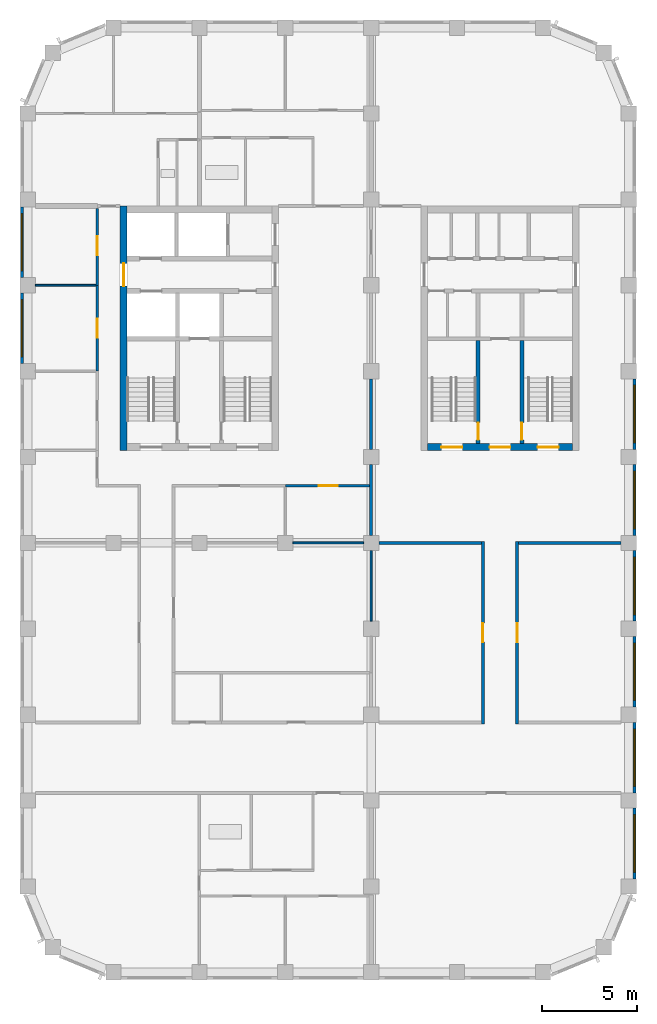
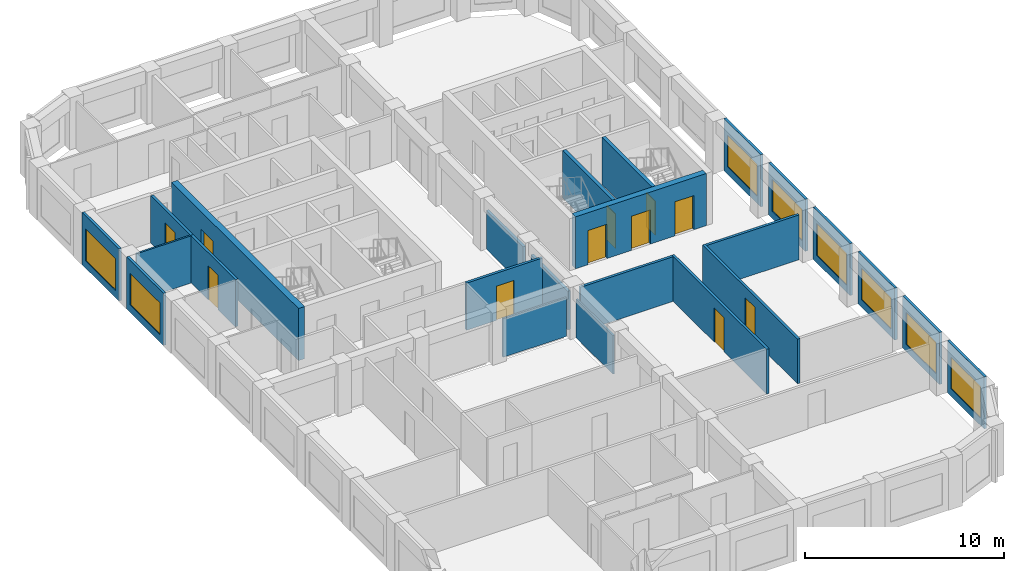
# One storey, part 4 of 9: 24 walls, 11 doors, 8 windows, 19 openings.
"""IFC4 building model written with IfcOpenShell, lengths in metres."""

from ifc_helpers import new_model, si_unit, direction, frame, frame_2d, origin, place, context, subcontext, project, spatial, rectangle, extrude, material, layer, layer_set, type_object, element, fill, save


model = new_model("IFC4")

# Units and contexts
model_context = context("Model", 3, precision=1e-05, world=origin(), true_north=direction((0.0, 1.0)))
body_context = subcontext(model_context, "Body", "Model", "MODEL_VIEW")
ifc_project = project(units=[si_unit("LENGTHUNIT", "METRE"), si_unit("AREAUNIT", "SQUARE_METRE"), si_unit("VOLUMEUNIT", "CUBIC_METRE"), si_unit("PLANEANGLEUNIT", "RADIAN"), si_unit("MASSUNIT", "GRAM", prefix="KILO")], contexts=[model_context])

# Site, building, storey
site_placement = place(None, origin())
site = spatial("IfcSite", under=ifc_project, at=site_placement, CompositionType="ELEMENT")
building_placement = place(site_placement, origin())
building = spatial("IfcBuilding", under=site, at=building_placement, Name="Girih Gate Residences", CompositionType="ELEMENT")
storey_placement = place(building_placement, frame((0.0, 0.0, 216.4951171875)))
storey = spatial("IfcBuildingStorey", under=building, at=storey_placement, Name="L60", CompositionType="ELEMENT", Elevation=216.4951171875)

# Walls
ifc_material_1 = material(Name="Gypsum board on steel studs", Category="steel")
ifc_layer_1 = layer(ifc_material_1, 0.14990234375)
ifc_layer_set_1 = layer_set([ifc_layer_1], Name="Compartment wall 150 mm")
wall_type_1 = type_object("IfcWallType", Name="Compartment wall 150 mm", PredefinedType="PARTITIONING", material=ifc_layer_set_1)
for number, where, z_axis, x_axis, name in (
    (1, (18.39990234375, 22.5, 0.0), (0.0, 0.0, 1.0), (1.0, 0.0, 0.0), "L60 partition"),
    (2, (25.72509765625, 22.5, 0.0), (0.0, 0.0, 1.0), (1.0, 0.0, 0.0), "L60 partition"),
):
    element("IfcWall", number, at=place(storey_placement, frame(where, z_axis=z_axis, x_axis=x_axis)), inside=storey, type_object=wall_type_1, Name=name, PredefinedType="PARTITIONING", context=body_context, shape_type="SweptSolid", body=[
        extrude(rectangle(XDim=5.375, YDim=0.14990234375, at=frame_2d((2.6875, 0.0))), origin(), (0.0, 0.0, 1.0), 2.75),
    ])
for number, where, z_axis, x_axis, name in (
    (3, (18.0, 27.39990234375, 0.0), (0.0, 0.0, 1.0), (0.0, 1.0, 0.0), "L60 partition"),
    (4, (18.0, 22.89990234375, 0.0), (0.0, 0.0, 1.0), (0.0, 1.0, 0.0), "L60 partition"),
):
    element("IfcWall", number, at=place(storey_placement, frame(where, z_axis=z_axis, x_axis=x_axis)), inside=storey, type_object=wall_type_1, Name=name, PredefinedType="PARTITIONING", context=body_context, shape_type="SweptSolid", body=[
        extrude(rectangle(XDim=3.7001953125, YDim=0.14990234375, at=frame_2d((1.85009765625, 0.0))), origin(), (0.0, 0.0, 1.0), 2.3798828125),
    ])

# Wall, opening, door
wall_1_placement = place(storey_placement, frame((23.85009765625, 13.02490234375, 0.0), z_axis=(0.0, 0.0, 1.0), x_axis=(0.0, 1.0, 0.0)))
wall_1 = element("IfcWall", 5, at=wall_1_placement, inside=storey, type_object=wall_type_1, Name="L60 partition", PredefinedType="PARTITIONING", context=body_context, shape_type="SweptSolid", body=[
    extrude(rectangle(XDim=9.550048828125, YDim=0.14990234375, at=frame_2d((4.77490234375, 0.0))), origin(), (0.0, 0.0, 1.0), 2.75),
])
opening_1_placement = place(wall_1_placement, frame((4.27490234375, 0.0, 0.0)))
opening_1 = element("IfcOpeningElement", 6, at=opening_1_placement, cuts=wall_1, Name="Opening A60-021", PredefinedType="OPENING", context=body_context, shape_type="SweptSolid", body=[
    extrude(rectangle(XDim=1.0, YDim=2.10009765625, at=frame_2d((0.5, 1.050048828125))), frame((0.0, 0.0849609375, 0.0), z_axis=(0.0, -1.0, 0.0), x_axis=(1.0, 0.0, 0.0)), (0.0, 0.0, 1.0), 0.169921875),
])
ifc_material_2 = material(Name="Timber, fire-rated core", Category="wood")
door_type_1 = type_object("IfcDoorType", Name="Amenity room door 1000x2100 FD30S", OperationType="NOTDEFINED", PredefinedType="DOOR", material=ifc_material_2)
door_1_placement = place(opening_1_placement, origin())
door_1 = element("IfcDoor", 7, at=door_1_placement, inside=storey, type_object=door_type_1, Name="Door A60-021", OperationType="SINGLE_SWING_RIGHT", OverallHeight=2.10009765625, OverallWidth=1.0, PredefinedType="DOOR", context=body_context, shape_type="SweptSolid", body=[
    extrude(rectangle(XDim=1.0, YDim=2.10009765625, at=frame_2d((0.5, 1.050048828125))), frame((0.0, 0.02490234375, 0.0), z_axis=(0.0, -1.0, 0.0), x_axis=(1.0, 0.0, 0.0)), (0.0, 0.0, 1.0), 0.050048828125),
])
fill(opening_1, door_1)

wall_2_placement = place(storey_placement, frame((25.64990234375, 22.574951171875, 0.0), z_axis=(0.0, 0.0, 1.0), x_axis=(0.0, -1.0, 0.0)))
wall_2 = element("IfcWall", 8, at=wall_2_placement, inside=storey, type_object=wall_type_1, Name="L60 partition", PredefinedType="PARTITIONING", context=body_context, shape_type="SweptSolid", body=[
    extrude(rectangle(XDim=9.550048828125, YDim=0.14990234375, at=frame_2d((4.77490234375, 0.0))), origin(), (0.0, 0.0, 1.0), 2.75),
])
opening_2_placement = place(wall_2_placement, frame((4.27490234375, 0.0, 0.0)))
opening_2 = element("IfcOpeningElement", 9, at=opening_2_placement, cuts=wall_2, Name="Opening A60-022", PredefinedType="OPENING", context=body_context, shape_type="SweptSolid", body=[
    extrude(rectangle(XDim=1.0, YDim=2.10009765625, at=frame_2d((0.5, 1.050048828125))), frame((0.0, 0.0849609375, 0.0), z_axis=(0.0, -1.0, 0.0), x_axis=(1.0, 0.0, 0.0)), (0.0, 0.0, 1.0), 0.169921875),
])
door_2_placement = place(opening_2_placement, origin())
door_2 = element("IfcDoor", 10, at=door_2_placement, inside=storey, type_object=door_type_1, Name="Door A60-022", OperationType="SINGLE_SWING_LEFT", OverallHeight=2.10009765625, OverallWidth=1.0, PredefinedType="DOOR", context=body_context, shape_type="SweptSolid", body=[
    extrude(rectangle(XDim=1.0, YDim=2.10009765625, at=frame_2d((0.5, 1.050048828125))), frame((0.0, 0.02490234375, 0.0), z_axis=(0.0, -1.0, 0.0), x_axis=(1.0, 0.0, 0.0)), (0.0, 0.0, 1.0), 0.050048828125),
])
fill(opening_2, door_2)

wall_3_placement = place(storey_placement, frame((17.925048828125, 25.5, 0.0), z_axis=(0.0, 0.0, 1.0), x_axis=(-1.0, 0.0, 0.0)))
wall_3 = element("IfcWall", 11, at=wall_3_placement, inside=storey, type_object=wall_type_1, Name="L60 partition", PredefinedType="PARTITIONING", context=body_context, shape_type="SweptSolid", body=[
    extrude(rectangle(XDim=4.425048828125, YDim=0.14990234375, at=frame_2d((2.21240234375, 0.0))), origin(), (0.0, 0.0, 1.0), 2.89990234375),
])
opening_3_placement = place(wall_3_placement, frame((1.675048828125, 0.0, 0.0)))
opening_3 = element("IfcOpeningElement", 12, at=opening_3_placement, cuts=wall_3, Name="Opening A60-027", PredefinedType="OPENING", context=body_context, shape_type="SweptSolid", body=[
    extrude(rectangle(XDim=1.0, YDim=2.10009765625, at=frame_2d((0.5, 1.050048828125))), frame((0.0, 0.0849609375, 0.0), z_axis=(0.0, -1.0, 0.0), x_axis=(1.0, 0.0, 0.0)), (0.0, 0.0, 1.0), 0.169921875),
])
door_3_placement = place(opening_3_placement, origin())
door_3 = element("IfcDoor", 13, at=door_3_placement, inside=storey, type_object=door_type_1, Name="Door A60-027", OperationType="SINGLE_SWING_LEFT", OverallHeight=2.10009765625, OverallWidth=1.0, PredefinedType="DOOR", context=body_context, shape_type="SweptSolid", body=[
    extrude(rectangle(XDim=1.0, YDim=2.10009765625, at=frame_2d((0.5, 1.050048828125))), frame((0.0, 0.02490234375, 0.0), z_axis=(0.0, -1.0, 0.0), x_axis=(1.0, 0.0, 0.0)), (0.0, 0.0, 1.0), 0.050048828125),
])
fill(opening_3, door_3)

wall_4_placement = place(storey_placement, frame((3.64990234375, 31.5, 0.0), z_axis=(0.0, 0.0, 1.0), x_axis=(0.0, 1.0, 0.0)))
wall_4 = element("IfcWall", 14, at=wall_4_placement, inside=storey, type_object=wall_type_1, Name="L60 partition", PredefinedType="PARTITIONING", context=body_context, shape_type="SweptSolid", body=[
    extrude(rectangle(XDim=4.5, YDim=0.14990234375, at=frame_2d((2.25, 0.0))), origin(), (0.0, 0.0, 1.0), 2.89990234375),
])
opening_4_placement = place(wall_4_placement, frame((1.75, 0.0, 0.0)))
opening_4 = element("IfcOpeningElement", 15, at=opening_4_placement, cuts=wall_4, Name="Opening A60-029", PredefinedType="OPENING", context=body_context, shape_type="SweptSolid", body=[
    extrude(rectangle(XDim=1.0, YDim=2.10009765625, at=frame_2d((0.5, 1.050048828125))), frame((0.0, 0.0849609375, 0.0), z_axis=(0.0, -1.0, 0.0), x_axis=(1.0, 0.0, 0.0)), (0.0, 0.0, 1.0), 0.169921875),
])
door_4_placement = place(opening_4_placement, origin())
door_4 = element("IfcDoor", 16, at=door_4_placement, inside=storey, type_object=door_type_1, Name="Door A60-029", OperationType="SINGLE_SWING_RIGHT", OverallHeight=2.10009765625, OverallWidth=1.0, PredefinedType="DOOR", context=body_context, shape_type="SweptSolid", body=[
    extrude(rectangle(XDim=1.0, YDim=2.10009765625, at=frame_2d((0.5, 1.050048828125))), frame((0.0, 0.02490234375, 0.0), z_axis=(0.0, -1.0, 0.0), x_axis=(1.0, 0.0, 0.0)), (0.0, 0.0, 1.0), 0.050048828125),
])
fill(opening_4, door_4)

wall_5_placement = place(storey_placement, frame((3.64990234375, 36.0, 0.0), z_axis=(0.0, 0.0, 1.0), x_axis=(0.0, 1.0, 0.0)))
wall_5 = element("IfcWall", 17, at=wall_5_placement, inside=storey, type_object=wall_type_1, Name="L60 partition", PredefinedType="PARTITIONING", context=body_context, shape_type="SweptSolid", body=[
    extrude(rectangle(XDim=4.02490234375, YDim=0.14990234375, at=frame_2d((2.012451171875, 0.0))), origin(), (0.0, 0.0, 1.0), 2.89990234375),
])
opening_5_placement = place(wall_5_placement, frame((1.574951171875, 0.0, 0.0)))
opening_5 = element("IfcOpeningElement", 18, at=opening_5_placement, cuts=wall_5, Name="Opening A60-030", PredefinedType="OPENING", context=body_context, shape_type="SweptSolid", body=[
    extrude(rectangle(XDim=1.0, YDim=2.10009765625, at=frame_2d((0.5, 1.050048828125))), frame((0.0, 0.0849609375, 0.0), z_axis=(0.0, -1.0, 0.0), x_axis=(1.0, 0.0, 0.0)), (0.0, 0.0, 1.0), 0.169921875),
])
door_5_placement = place(opening_5_placement, origin())
door_5 = element("IfcDoor", 19, at=door_5_placement, inside=storey, type_object=door_type_1, Name="Door A60-030", OperationType="SINGLE_SWING_RIGHT", OverallHeight=2.10009765625, OverallWidth=1.0, PredefinedType="DOOR", context=body_context, shape_type="SweptSolid", body=[
    extrude(rectangle(XDim=1.0, YDim=2.10009765625, at=frame_2d((0.5, 1.050048828125))), frame((0.0, 0.02490234375, 0.0), z_axis=(0.0, -1.0, 0.0), x_axis=(1.0, 0.0, 0.0)), (0.0, 0.0, 1.0), 0.050048828125),
])
fill(opening_5, door_5)

ifc_material_3 = material(Name="Concrete C60/75", Category="concrete")
ifc_layer_2 = layer(ifc_material_3, 0.35009765625)
ifc_layer_set_2 = layer_set([ifc_layer_2], Name="Core wall RC 350 Concrete C60/75")
wall_type_2 = type_object("IfcWallType", Name="Core wall RC 350 Concrete C60/75", PredefinedType="SOLIDWALL", material=ifc_layer_set_2)
wall_6_placement = place(storey_placement, frame((5.02490234375, 27.35009765625, 0.0), z_axis=(0.0, 0.0, 1.0), x_axis=(0.0, 1.0, 0.0)))
wall_6 = element("IfcWall", 20, at=wall_6_placement, inside=storey, type_object=wall_type_2, Name="Core wall W-W L60", PredefinedType="SOLIDWALL", context=body_context, shape_type="SweptSolid", body=[
    extrude(rectangle(XDim=12.7998046875, YDim=0.35009765625, at=frame_2d((6.39990234375, 0.0))), origin(), (0.0, 0.0, 1.0), 3.199951171875),
])
opening_6_placement = place(wall_6_placement, frame((8.60009765625, 0.0, 0.0)))
opening_6 = element("IfcOpeningElement", 21, at=opening_6_placement, cuts=wall_6, Name="Opening D-L60-W-012", PredefinedType="OPENING", context=body_context, shape_type="SweptSolid", body=[
    extrude(rectangle(XDim=1.199951171875, YDim=2.10009765625, at=frame_2d((0.60009765625, 1.050048828125))), frame((0.0, 0.18505859375, 0.0), z_axis=(0.0, -1.0, 0.0), x_axis=(1.0, 0.0, 0.0)), (0.0, 0.0, 1.0), 0.3701171875),
])
ifc_material_4 = material(Name="Painted steel, fire-resisting", Category="steel")
door_type_2 = type_object("IfcDoorType", Name="Fire door 1200x2100", OperationType="SINGLE_SWING_LEFT", PredefinedType="DOOR", material=ifc_material_4)
door_6_placement = place(opening_6_placement, origin())
door_6 = element("IfcDoor", 22, at=door_6_placement, inside=storey, type_object=door_type_2, Name="L60 W core door ll-w", OperationType="SINGLE_SWING_LEFT", OverallHeight=2.10009765625, OverallWidth=1.199951171875, PredefinedType="DOOR", context=body_context, shape_type="SweptSolid", body=[
    extrude(rectangle(XDim=1.199951171875, YDim=2.10009765625, at=frame_2d((0.60009765625, 1.050048828125))), frame((0.0, 0.02490234375, 0.0), z_axis=(0.0, -1.0, 0.0), x_axis=(1.0, 0.0, 0.0)), (0.0, 0.0, 1.0), 0.050048828125),
])
fill(opening_6, door_6)

# Walls
ifc_layer_3 = layer(ifc_material_1, 0.10009765625)
ifc_layer_set_3 = layer_set([ifc_layer_3], Name="Partition 100 mm")
wall_type_3 = type_object("IfcWallType", Name="Partition 100 mm", PredefinedType="PARTITIONING", material=ifc_layer_set_3)
for number, where, z_axis, x_axis, name in (
    (23, (18.0, 18.39990234375, 0.0), (0.0, 0.0, 1.0), (0.0, 1.0, 0.0), "L60 partition"),
    (24, (13.89990234375, 22.5, 0.0), (0.0, 0.0, 1.0), (1.0, 0.0, 0.0), "L60 partition"),
):
    element("IfcWall", number, at=place(storey_placement, frame(where, z_axis=z_axis, x_axis=x_axis)), inside=storey, type_object=wall_type_3, Name=name, PredefinedType="PARTITIONING", context=body_context, shape_type="SweptSolid", body=[
        extrude(rectangle(XDim=3.7001953125, YDim=0.10009765625, at=frame_2d((1.85009765625, 0.0))), origin(), (0.0, 0.0, 1.0), 2.3798828125),
    ])
wall_7_placement = place(storey_placement, frame((0.39990234375, 36.0, 0.0), z_axis=(0.0, 0.0, 1.0), x_axis=(1.0, 0.0, 0.0)))
element("IfcWall", 25, at=wall_7_placement, inside=storey, type_object=wall_type_3, Name="L60 partition", PredefinedType="PARTITIONING", context=body_context, shape_type="SweptSolid", body=[
    extrude(rectangle(XDim=3.175048828125, YDim=0.10009765625, at=frame_2d((1.58740234375, 0.0))), origin(), (0.0, 0.0, 1.0), 2.89990234375),
])

# Wall, opening, window
ifc_material_5 = material(Name="Precast concrete C50/60", Category="concrete")
ifc_layer_4 = layer(ifc_material_5, 0.050048828125, Name="Outer leaf")
ifc_material_6 = material(Name="Rigid PIR insulation")
ifc_layer_5 = layer(ifc_material_6, 0.06005859375, Name="Insulation")
ifc_material_7 = material(Name="Precast concrete C40/50", Category="concrete")
ifc_layer_6 = layer(ifc_material_7, 0.0400390625, Name="Inner leaf")
ifc_layer_set_4 = layer_set([ifc_layer_4, ifc_layer_5, ifc_layer_6], Name="Precast concrete C50/60 external wall 150")
wall_type_4 = type_object("IfcWallType", Name="Precast concrete C50/60 external wall 150", PredefinedType="SOLIDWALL", material=ifc_layer_set_4)
wall_8_placement = place(storey_placement, frame((31.800048828125, 8.60009765625, 0.0), z_axis=(0.0, 0.0, 1.0), x_axis=(0.0, -1.0, 0.0)))
wall_8 = element("IfcWall", 26, at=wall_8_placement, inside=storey, type_object=wall_type_4, Name="External wall E0315_0045.0", PredefinedType="SOLIDWALL", context=body_context, shape_type="SweptSolid", body=[
    extrude(rectangle(XDim=3.7001953125, YDim=0.14990234375, at=frame_2d((1.85009765625, 0.0))), origin(), (0.0, 0.0, 1.0), 3.199951171875),
])
opening_7_placement = place(wall_8_placement, frame((0.35009765625, 0.0, 0.449951171875)))
opening_7 = element("IfcOpeningElement", 27, at=opening_7_placement, cuts=wall_8, Name="Opening W-1D", PredefinedType="OPENING", context=body_context, shape_type="SweptSolid", body=[
    extrude(rectangle(XDim=3.0, YDim=1.949951171875, at=frame_2d((1.5, 0.97509765625))), frame((0.0, 0.0849609375, 0.0), z_axis=(0.0, -1.0, 0.0), x_axis=(1.0, 0.0, 0.0)), (0.0, 0.0, 1.0), 0.169921875),
])
ifc_material_8 = material(Name="Double glazing in aluminium frame", Category="aluminium")
window_type = type_object("IfcWindowType", Name="Window W-1D 3000x1950", PartitioningType="SINGLE_PANEL", PredefinedType="WINDOW", material=ifc_material_8)
window_1_placement = place(opening_7_placement, origin())
window_1 = element("IfcWindow", 28, at=window_1_placement, inside=storey, type_object=window_type, Name="Window W-1D E0315_0045.0", OverallHeight=1.949951171875, OverallWidth=3.0, PartitioningType="SINGLE_PANEL", PredefinedType="WINDOW", context=body_context, shape_type="SweptSolid", body=[
    extrude(rectangle(XDim=3.0, YDim=1.949951171875, at=frame_2d((1.5, 0.97509765625))), frame((0.0, 0.030029296875, 0.0), z_axis=(0.0, -1.0, 0.0), x_axis=(1.0, 0.0, 0.0)), (0.0, 0.0, 1.0), 0.06005859375),
])
fill(opening_7, window_1)

wall_9_placement = place(storey_placement, frame((31.800048828125, 13.10009765625, 0.0), z_axis=(0.0, 0.0, 1.0), x_axis=(0.0, -1.0, 0.0)))
wall_9 = element("IfcWall", 29, at=wall_9_placement, inside=storey, type_object=wall_type_4, Name="External wall E0315_0045.1", PredefinedType="SOLIDWALL", context=body_context, shape_type="SweptSolid", body=[
    extrude(rectangle(XDim=3.7001953125, YDim=0.14990234375, at=frame_2d((1.85009765625, 0.0))), origin(), (0.0, 0.0, 1.0), 3.199951171875),
])
opening_8_placement = place(wall_9_placement, frame((0.35009765625, 0.0, 0.449951171875)))
opening_8 = element("IfcOpeningElement", 30, at=opening_8_placement, cuts=wall_9, Name="Opening W-1D", PredefinedType="OPENING", context=body_context, shape_type="SweptSolid", body=[
    extrude(rectangle(XDim=3.0, YDim=1.949951171875, at=frame_2d((1.5, 0.97509765625))), frame((0.0, 0.0849609375, 0.0), z_axis=(0.0, -1.0, 0.0), x_axis=(1.0, 0.0, 0.0)), (0.0, 0.0, 1.0), 0.169921875),
])
window_2_placement = place(opening_8_placement, origin())
window_2 = element("IfcWindow", 31, at=window_2_placement, inside=storey, type_object=window_type, Name="Window W-1D E0315_0045.1", OverallHeight=1.949951171875, OverallWidth=3.0, PartitioningType="SINGLE_PANEL", PredefinedType="WINDOW", context=body_context, shape_type="SweptSolid", body=[
    extrude(rectangle(XDim=3.0, YDim=1.949951171875, at=frame_2d((1.5, 0.97509765625))), frame((0.0, 0.030029296875, 0.0), z_axis=(0.0, -1.0, 0.0), x_axis=(1.0, 0.0, 0.0)), (0.0, 0.0, 1.0), 0.06005859375),
])
fill(opening_8, window_2)

wall_10_placement = place(storey_placement, frame((31.800048828125, 17.60009765625, 0.0), z_axis=(0.0, 0.0, 1.0), x_axis=(0.0, -1.0, 0.0)))
wall_10 = element("IfcWall", 32, at=wall_10_placement, inside=storey, type_object=wall_type_4, Name="External wall E0315_0045.2", PredefinedType="SOLIDWALL", context=body_context, shape_type="SweptSolid", body=[
    extrude(rectangle(XDim=3.7001953125, YDim=0.14990234375, at=frame_2d((1.85009765625, 0.0))), origin(), (0.0, 0.0, 1.0), 3.199951171875),
])
opening_9_placement = place(wall_10_placement, frame((0.35009765625, 0.0, 0.449951171875)))
opening_9 = element("IfcOpeningElement", 33, at=opening_9_placement, cuts=wall_10, Name="Opening W-1D", PredefinedType="OPENING", context=body_context, shape_type="SweptSolid", body=[
    extrude(rectangle(XDim=3.0, YDim=1.949951171875, at=frame_2d((1.5, 0.97509765625))), frame((0.0, 0.0849609375, 0.0), z_axis=(0.0, -1.0, 0.0), x_axis=(1.0, 0.0, 0.0)), (0.0, 0.0, 1.0), 0.169921875),
])
window_3_placement = place(opening_9_placement, origin())
window_3 = element("IfcWindow", 34, at=window_3_placement, inside=storey, type_object=window_type, Name="Window W-1D E0315_0045.2", OverallHeight=1.949951171875, OverallWidth=3.0, PartitioningType="SINGLE_PANEL", PredefinedType="WINDOW", context=body_context, shape_type="SweptSolid", body=[
    extrude(rectangle(XDim=3.0, YDim=1.949951171875, at=frame_2d((1.5, 0.97509765625))), frame((0.0, 0.030029296875, 0.0), z_axis=(0.0, -1.0, 0.0), x_axis=(1.0, 0.0, 0.0)), (0.0, 0.0, 1.0), 0.06005859375),
])
fill(opening_9, window_3)

wall_11_placement = place(storey_placement, frame((31.800048828125, 22.10009765625, 0.0), z_axis=(0.0, 0.0, 1.0), x_axis=(0.0, -1.0, 0.0)))
wall_11 = element("IfcWall", 35, at=wall_11_placement, inside=storey, type_object=wall_type_4, Name="External wall E0315_0045.3", PredefinedType="SOLIDWALL", context=body_context, shape_type="SweptSolid", body=[
    extrude(rectangle(XDim=3.7001953125, YDim=0.14990234375, at=frame_2d((1.85009765625, 0.0))), origin(), (0.0, 0.0, 1.0), 3.199951171875),
])
opening_10_placement = place(wall_11_placement, frame((0.35009765625, 0.0, 0.449951171875)))
opening_10 = element("IfcOpeningElement", 36, at=opening_10_placement, cuts=wall_11, Name="Opening W-1D", PredefinedType="OPENING", context=body_context, shape_type="SweptSolid", body=[
    extrude(rectangle(XDim=3.0, YDim=1.949951171875, at=frame_2d((1.5, 0.97509765625))), frame((0.0, 0.0849609375, 0.0), z_axis=(0.0, -1.0, 0.0), x_axis=(1.0, 0.0, 0.0)), (0.0, 0.0, 1.0), 0.169921875),
])
window_4_placement = place(opening_10_placement, origin())
window_4 = element("IfcWindow", 37, at=window_4_placement, inside=storey, type_object=window_type, Name="Window W-1D E0315_0045.3", OverallHeight=1.949951171875, OverallWidth=3.0, PartitioningType="SINGLE_PANEL", PredefinedType="WINDOW", context=body_context, shape_type="SweptSolid", body=[
    extrude(rectangle(XDim=3.0, YDim=1.949951171875, at=frame_2d((1.5, 0.97509765625))), frame((0.0, 0.030029296875, 0.0), z_axis=(0.0, -1.0, 0.0), x_axis=(1.0, 0.0, 0.0)), (0.0, 0.0, 1.0), 0.06005859375),
])
fill(opening_10, window_4)

wall_12_placement = place(storey_placement, frame((31.800048828125, 26.60009765625, 0.0), z_axis=(0.0, 0.0, 1.0), x_axis=(0.0, -1.0, 0.0)))
wall_12 = element("IfcWall", 38, at=wall_12_placement, inside=storey, type_object=wall_type_4, Name="External wall E0315_0045.4", PredefinedType="SOLIDWALL", context=body_context, shape_type="SweptSolid", body=[
    extrude(rectangle(XDim=3.7001953125, YDim=0.14990234375, at=frame_2d((1.85009765625, 0.0))), origin(), (0.0, 0.0, 1.0), 3.199951171875),
])
opening_11_placement = place(wall_12_placement, frame((0.35009765625, 0.0, 0.449951171875)))
opening_11 = element("IfcOpeningElement", 39, at=opening_11_placement, cuts=wall_12, Name="Opening W-1D", PredefinedType="OPENING", context=body_context, shape_type="SweptSolid", body=[
    extrude(rectangle(XDim=3.0, YDim=1.949951171875, at=frame_2d((1.5, 0.97509765625))), frame((0.0, 0.0849609375, 0.0), z_axis=(0.0, -1.0, 0.0), x_axis=(1.0, 0.0, 0.0)), (0.0, 0.0, 1.0), 0.169921875),
])
window_5_placement = place(opening_11_placement, origin())
window_5 = element("IfcWindow", 40, at=window_5_placement, inside=storey, type_object=window_type, Name="Window W-1D E0315_0045.4", OverallHeight=1.949951171875, OverallWidth=3.0, PartitioningType="SINGLE_PANEL", PredefinedType="WINDOW", context=body_context, shape_type="SweptSolid", body=[
    extrude(rectangle(XDim=3.0, YDim=1.949951171875, at=frame_2d((1.5, 0.97509765625))), frame((0.0, 0.030029296875, 0.0), z_axis=(0.0, -1.0, 0.0), x_axis=(1.0, 0.0, 0.0)), (0.0, 0.0, 1.0), 0.06005859375),
])
fill(opening_11, window_5)

wall_13_placement = place(storey_placement, frame((31.800048828125, 31.10009765625, 0.0), z_axis=(0.0, 0.0, 1.0), x_axis=(0.0, -1.0, 0.0)))
wall_13 = element("IfcWall", 41, at=wall_13_placement, inside=storey, type_object=wall_type_4, Name="External wall E0315_0045.5", PredefinedType="SOLIDWALL", context=body_context, shape_type="SweptSolid", body=[
    extrude(rectangle(XDim=3.7001953125, YDim=0.14990234375, at=frame_2d((1.85009765625, 0.0))), origin(), (0.0, 0.0, 1.0), 3.199951171875),
])
opening_12_placement = place(wall_13_placement, frame((0.35009765625, 0.0, 0.449951171875)))
opening_12 = element("IfcOpeningElement", 42, at=opening_12_placement, cuts=wall_13, Name="Opening W-1D", PredefinedType="OPENING", context=body_context, shape_type="SweptSolid", body=[
    extrude(rectangle(XDim=3.0, YDim=1.949951171875, at=frame_2d((1.5, 0.97509765625))), frame((0.0, 0.0849609375, 0.0), z_axis=(0.0, -1.0, 0.0), x_axis=(1.0, 0.0, 0.0)), (0.0, 0.0, 1.0), 0.169921875),
])
window_6_placement = place(opening_12_placement, origin())
window_6 = element("IfcWindow", 43, at=window_6_placement, inside=storey, type_object=window_type, Name="Window W-1D E0315_0045.5", OverallHeight=1.949951171875, OverallWidth=3.0, PartitioningType="SINGLE_PANEL", PredefinedType="WINDOW", context=body_context, shape_type="SweptSolid", body=[
    extrude(rectangle(XDim=3.0, YDim=1.949951171875, at=frame_2d((1.5, 0.97509765625))), frame((0.0, 0.030029296875, 0.0), z_axis=(0.0, -1.0, 0.0), x_axis=(1.0, 0.0, 0.0)), (0.0, 0.0, 1.0), 0.06005859375),
])
fill(opening_12, window_6)

wall_14_placement = place(storey_placement, frame((-0.300048828125, 36.39990234375, 0.0), z_axis=(0.0, 0.0, 1.0), x_axis=(0.0, 1.0, 0.0)))
wall_14 = element("IfcWall", 44, at=wall_14_placement, inside=storey, type_object=wall_type_4, Name="External wall W0000_0450.1", PredefinedType="SOLIDWALL", context=body_context, shape_type="SweptSolid", body=[
    extrude(rectangle(XDim=3.7001953125, YDim=0.14990234375, at=frame_2d((1.85009765625, 0.0))), origin(), (0.0, 0.0, 1.0), 3.199951171875),
])
opening_13_placement = place(wall_14_placement, frame((0.35009765625, 0.0, 0.449951171875)))
opening_13 = element("IfcOpeningElement", 45, at=opening_13_placement, cuts=wall_14, Name="Opening W-1D", PredefinedType="OPENING", context=body_context, shape_type="SweptSolid", body=[
    extrude(rectangle(XDim=3.0, YDim=1.949951171875, at=frame_2d((1.5, 0.97509765625))), frame((0.0, 0.0849609375, 0.0), z_axis=(0.0, -1.0, 0.0), x_axis=(1.0, 0.0, 0.0)), (0.0, 0.0, 1.0), 0.169921875),
])
window_7_placement = place(opening_13_placement, origin())
window_7 = element("IfcWindow", 46, at=window_7_placement, inside=storey, type_object=window_type, Name="Window W-1D W0000_0450.1", OverallHeight=1.949951171875, OverallWidth=3.0, PartitioningType="SINGLE_PANEL", PredefinedType="WINDOW", context=body_context, shape_type="SweptSolid", body=[
    extrude(rectangle(XDim=3.0, YDim=1.949951171875, at=frame_2d((1.5, 0.97509765625))), frame((0.0, 0.030029296875, 0.0), z_axis=(0.0, -1.0, 0.0), x_axis=(1.0, 0.0, 0.0)), (0.0, 0.0, 1.0), 0.06005859375),
])
fill(opening_13, window_7)

wall_15_placement = place(storey_placement, frame((-0.300048828125, 31.89990234375, 0.0), z_axis=(0.0, 0.0, 1.0), x_axis=(0.0, 1.0, 0.0)))
wall_15 = element("IfcWall", 47, at=wall_15_placement, inside=storey, type_object=wall_type_4, Name="External wall W0000_0450.2", PredefinedType="SOLIDWALL", context=body_context, shape_type="SweptSolid", body=[
    extrude(rectangle(XDim=3.7001953125, YDim=0.14990234375, at=frame_2d((1.85009765625, 0.0))), origin(), (0.0, 0.0, 1.0), 3.199951171875),
])
opening_14_placement = place(wall_15_placement, frame((0.35009765625, 0.0, 0.449951171875)))
opening_14 = element("IfcOpeningElement", 48, at=opening_14_placement, cuts=wall_15, Name="Opening W-1D", PredefinedType="OPENING", context=body_context, shape_type="SweptSolid", body=[
    extrude(rectangle(XDim=3.0, YDim=1.949951171875, at=frame_2d((1.5, 0.97509765625))), frame((0.0, 0.0849609375, 0.0), z_axis=(0.0, -1.0, 0.0), x_axis=(1.0, 0.0, 0.0)), (0.0, 0.0, 1.0), 0.169921875),
])
window_8_placement = place(opening_14_placement, origin())
window_8 = element("IfcWindow", 49, at=window_8_placement, inside=storey, type_object=window_type, Name="Window W-1D W0000_0450.2", OverallHeight=1.949951171875, OverallWidth=3.0, PartitioningType="SINGLE_PANEL", PredefinedType="WINDOW", context=body_context, shape_type="SweptSolid", body=[
    extrude(rectangle(XDim=3.0, YDim=1.949951171875, at=frame_2d((1.5, 0.97509765625))), frame((0.0, 0.030029296875, 0.0), z_axis=(0.0, -1.0, 0.0), x_axis=(1.0, 0.0, 0.0)), (0.0, 0.0, 1.0), 0.06005859375),
])
fill(opening_14, window_8)

# Wall, opening, door
ifc_material_9 = material(Name="Concrete C40/50", Category="concrete")
ifc_layer_7 = layer(ifc_material_9, 0.199951171875)
ifc_layer_set_5 = layer_set([ifc_layer_7], Name="Shaft wall 200")
wall_type_5 = type_object("IfcWallType", Name="Shaft wall 200", PredefinedType="SOLIDWALL", material=ifc_layer_set_5)
wall_16_placement = place(storey_placement, frame((23.60009765625, 27.699951171875, 0.0), z_axis=(0.0, 0.0, 1.0), x_axis=(0.0, 1.0, 0.0)))
wall_16 = element("IfcWall", 50, at=wall_16_placement, inside=storey, type_object=wall_type_5, Name="L60 C core wall V1a", PredefinedType="SOLIDWALL", context=body_context, shape_type="SweptSolid", body=[
    extrude(rectangle(XDim=5.400146484375, YDim=0.199951171875, at=frame_2d((2.7001953125, 0.0))), origin(), (0.0, 0.0, 1.0), 2.89990234375),
])
opening_15_placement = place(wall_16_placement, frame((0.199951171875, 0.0, 0.0)))
opening_15 = element("IfcOpeningElement", 51, at=opening_15_placement, cuts=wall_16, Name="Opening D-L60-C-001", PredefinedType="OPENING", context=body_context, shape_type="SweptSolid", body=[
    extrude(rectangle(XDim=0.89990234375, YDim=2.10009765625, at=frame_2d((0.449951171875, 1.050048828125))), frame((0.0, 0.10986328125, 0.0), z_axis=(0.0, -1.0, 0.0), x_axis=(1.0, 0.0, 0.0)), (0.0, 0.0, 1.0), 0.219970703125),
])
door_type_3 = type_object("IfcDoorType", Name="Fire door 900x2100", OperationType="SINGLE_SWING_LEFT", PredefinedType="DOOR", material=ifc_material_4)
door_7_placement = place(opening_15_placement, origin())
door_7 = element("IfcDoor", 52, at=door_7_placement, inside=storey, type_object=door_type_3, Name="L60 C door stair 1 to stair lobby", OperationType="SINGLE_SWING_LEFT", OverallHeight=2.10009765625, OverallWidth=0.89990234375, PredefinedType="DOOR", context=body_context, shape_type="SweptSolid", body=[
    extrude(rectangle(XDim=0.89990234375, YDim=2.10009765625, at=frame_2d((0.449951171875, 1.050048828125))), frame((0.0, 0.02490234375, 0.0), z_axis=(0.0, -1.0, 0.0), x_axis=(1.0, 0.0, 0.0)), (0.0, 0.0, 1.0), 0.050048828125),
])
fill(opening_15, door_7)

wall_17_placement = place(storey_placement, frame((25.89990234375, 27.699951171875, 0.0), z_axis=(0.0, 0.0, 1.0), x_axis=(0.0, 1.0, 0.0)))
wall_17 = element("IfcWall", 53, at=wall_17_placement, inside=storey, type_object=wall_type_5, Name="L60 C core wall V2a", PredefinedType="SOLIDWALL", context=body_context, shape_type="SweptSolid", body=[
    extrude(rectangle(XDim=5.400146484375, YDim=0.199951171875, at=frame_2d((2.7001953125, 0.0))), origin(), (0.0, 0.0, 1.0), 2.89990234375),
])
opening_16_placement = place(wall_17_placement, frame((0.199951171875, 0.0, 0.0)))
opening_16 = element("IfcOpeningElement", 54, at=opening_16_placement, cuts=wall_17, Name="Opening D-L60-C-002", PredefinedType="OPENING", context=body_context, shape_type="SweptSolid", body=[
    extrude(rectangle(XDim=0.89990234375, YDim=2.10009765625, at=frame_2d((0.449951171875, 1.050048828125))), frame((0.0, 0.10986328125, 0.0), z_axis=(0.0, -1.0, 0.0), x_axis=(1.0, 0.0, 0.0)), (0.0, 0.0, 1.0), 0.219970703125),
])
door_8_placement = place(opening_16_placement, origin())
door_8 = element("IfcDoor", 55, at=door_8_placement, inside=storey, type_object=door_type_3, Name="L60 C door stair 2 to stair lobby", OperationType="SINGLE_SWING_LEFT", OverallHeight=2.10009765625, OverallWidth=0.89990234375, PredefinedType="DOOR", context=body_context, shape_type="SweptSolid", body=[
    extrude(rectangle(XDim=0.89990234375, YDim=2.10009765625, at=frame_2d((0.449951171875, 1.050048828125))), frame((0.0, 0.02490234375, 0.0), z_axis=(0.0, -1.0, 0.0), x_axis=(1.0, 0.0, 0.0)), (0.0, 0.0, 1.0), 0.050048828125),
])
fill(opening_16, door_8)

# Wall, openings, doors
ifc_layer_8 = layer(ifc_material_9, 0.35009765625)
ifc_layer_set_6 = layer_set([ifc_layer_8], Name="Stair core wall RC 350 Concrete C40/50")
wall_type_6 = type_object("IfcWallType", Name="Stair core wall RC 350 Concrete C40/50", PredefinedType="SOLIDWALL", material=ifc_layer_set_6)
wall_18_placement = place(storey_placement, frame((20.949951171875, 27.52490234375, 0.0), z_axis=(0.0, 0.0, 1.0), x_axis=(1.0, 0.0, 0.0)))
wall_18 = element("IfcWall", 56, at=wall_18_placement, inside=storey, type_object=wall_type_6, Name="Stair core wall C-S L60", PredefinedType="SOLIDWALL", context=body_context, shape_type="SweptSolid", body=[
    extrude(rectangle(XDim=7.60009765625, YDim=0.35009765625, at=frame_2d((3.800048828125, 0.0))), origin(), (0.0, 0.0, 1.0), 3.199951171875),
])
opening_17_placement = place(wall_18_placement, frame((0.72509765625, 0.0, 0.0)))
opening_17 = element("IfcOpeningElement", 57, at=opening_17_placement, cuts=wall_18, Name="Opening D-L60-C-012", PredefinedType="OPENING", context=body_context, shape_type="SweptSolid", body=[
    extrude(rectangle(XDim=1.10009765625, YDim=2.10009765625, at=frame_2d((0.550048828125, 1.050048828125))), frame((0.0, 0.18505859375, 0.0), z_axis=(0.0, -1.0, 0.0), x_axis=(1.0, 0.0, 0.0)), (0.0, 0.0, 1.0), 0.3701171875),
])
opening_18_placement = place(wall_18_placement, frame((3.25, 0.0, 0.0)))
opening_18 = element("IfcOpeningElement", 58, at=opening_18_placement, cuts=wall_18, Name="Opening D-L60-C-013", PredefinedType="OPENING", context=body_context, shape_type="SweptSolid", body=[
    extrude(rectangle(XDim=1.10009765625, YDim=2.10009765625, at=frame_2d((0.550048828125, 1.050048828125))), frame((0.0, 0.18505859375, 0.0), z_axis=(0.0, -1.0, 0.0), x_axis=(1.0, 0.0, 0.0)), (0.0, 0.0, 1.0), 0.3701171875),
])
opening_19_placement = place(wall_18_placement, frame((5.77490234375, 0.0, 0.0)))
opening_19 = element("IfcOpeningElement", 59, at=opening_19_placement, cuts=wall_18, Name="Opening D-L60-C-014", PredefinedType="OPENING", context=body_context, shape_type="SweptSolid", body=[
    extrude(rectangle(XDim=1.10009765625, YDim=2.10009765625, at=frame_2d((0.550048828125, 1.050048828125))), frame((0.0, 0.18505859375, 0.0), z_axis=(0.0, -1.0, 0.0), x_axis=(1.0, 0.0, 0.0)), (0.0, 0.0, 1.0), 0.3701171875),
])
door_type_4 = type_object("IfcDoorType", Name="Fire door 1100x2100", OperationType="SINGLE_SWING_LEFT", PredefinedType="DOOR", material=ifc_material_4)
door_9_placement = place(opening_17_placement, origin())
door_9 = element("IfcDoor", 60, at=door_9_placement, inside=storey, type_object=door_type_4, Name="L60 C core door sta-out", OperationType="SINGLE_SWING_LEFT", OverallHeight=2.10009765625, OverallWidth=1.10009765625, PredefinedType="DOOR", context=body_context, shape_type="SweptSolid", body=[
    extrude(rectangle(XDim=1.10009765625, YDim=2.10009765625, at=frame_2d((0.550048828125, 1.050048828125))), frame((0.0, 0.02490234375, 0.0), z_axis=(0.0, -1.0, 0.0), x_axis=(1.0, 0.0, 0.0)), (0.0, 0.0, 1.0), 0.050048828125),
])
fill(opening_17, door_9)
door_10_placement = place(opening_18_placement, origin())
door_10 = element("IfcDoor", 61, at=door_10_placement, inside=storey, type_object=door_type_4, Name="L60 C core door ffl-out", OperationType="SINGLE_SWING_LEFT", OverallHeight=2.10009765625, OverallWidth=1.10009765625, PredefinedType="DOOR", context=body_context, shape_type="SweptSolid", body=[
    extrude(rectangle(XDim=1.10009765625, YDim=2.10009765625, at=frame_2d((0.550048828125, 1.050048828125))), frame((0.0, 0.02490234375, 0.0), z_axis=(0.0, -1.0, 0.0), x_axis=(1.0, 0.0, 0.0)), (0.0, 0.0, 1.0), 0.050048828125),
])
fill(opening_18, door_10)
door_11_placement = place(opening_19_placement, origin())
door_11 = element("IfcDoor", 62, at=door_11_placement, inside=storey, type_object=door_type_4, Name="L60 C core door stb-out", OperationType="SINGLE_SWING_LEFT", OverallHeight=2.10009765625, OverallWidth=1.10009765625, PredefinedType="DOOR", context=body_context, shape_type="SweptSolid", body=[
    extrude(rectangle(XDim=1.10009765625, YDim=2.10009765625, at=frame_2d((0.550048828125, 1.050048828125))), frame((0.0, 0.02490234375, 0.0), z_axis=(0.0, -1.0, 0.0), x_axis=(1.0, 0.0, 0.0)), (0.0, 0.0, 1.0), 0.050048828125),
])
fill(opening_19, door_11)

save(model, "model.ifc")
